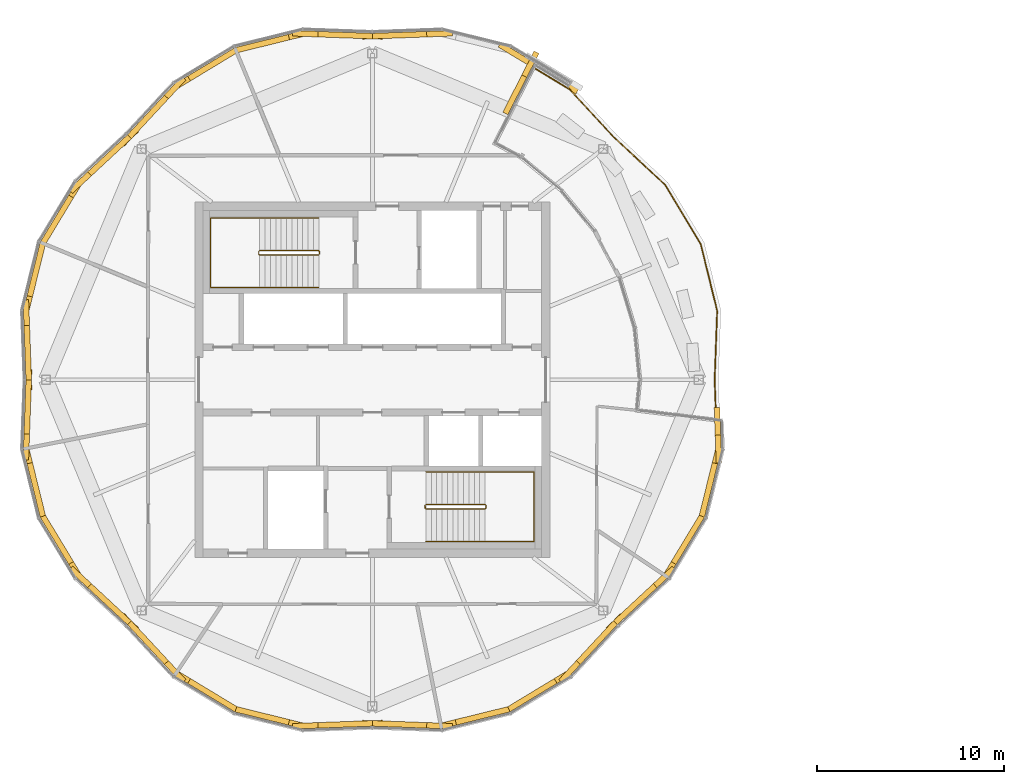
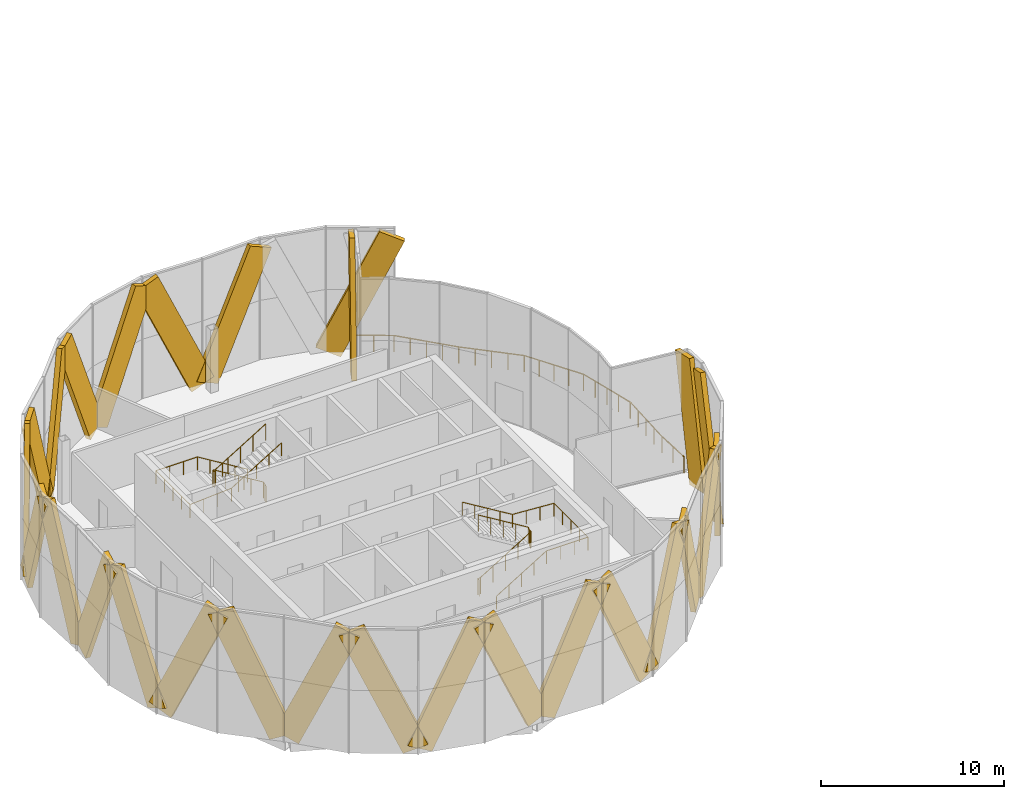
# One storey, part 22 of 24: 27 coverings, 5 railings.
"""IFC4 building model written with IfcOpenShell, lengths in metres."""

from ifc_helpers import new_model, si_unit, direction, frame, origin, origin_2d, place, context, subcontext, project, spatial, rectangle, circle, extrude, material, material_profile, profile_set, type_object, element, save


model = new_model("IFC4")

# Units and contexts
model_context = context("Model", 3, precision=1e-05, world=origin(), true_north=direction((0.0, 1.0)))
body_context = subcontext(model_context, "Body", "Model", "MODEL_VIEW")
ifc_project = project(units=[si_unit("LENGTHUNIT", "METRE"), si_unit("AREAUNIT", "SQUARE_METRE"), si_unit("VOLUMEUNIT", "CUBIC_METRE"), si_unit("PLANEANGLEUNIT", "RADIAN"), si_unit("MASSUNIT", "GRAM", prefix="KILO")], contexts=[model_context])

# Site, building, storey
site_placement = place(None, origin())
site = spatial("IfcSite", under=ifc_project, at=site_placement, CompositionType="ELEMENT")
building_placement = place(site_placement, origin())
building = spatial("IfcBuilding", under=site, at=building_placement, Name="Ogive Gate Towers", CompositionType="ELEMENT")
storey_placement = place(building_placement, frame((0.0, 0.0, 277.199951171875)))
storey = spatial("IfcBuildingStorey", under=building, at=storey_placement, Name="L65", CompositionType="ELEMENT", Elevation=277.199951171875)

# Coverings
ifc_material_1 = material(Name="Pale metal aluminium", Category="aluminium")
ifc_material_profile = material_profile(ifc_material_1, rectangle(XDim=0.300048828125, YDim=1.5, at=origin_2d()), Name="1500 x 300 pale metal aluminium")
ifc_profile_set = profile_set([ifc_material_profile], Name="Pale metal aluminium")
covering_type = type_object("IfcCoveringType", Name="Facade fin 1500 x 300", PredefinedType="CLADDING", material=ifc_profile_set)
covering_1_placement = place(storey_placement, frame((-35.857177734375, 18.385009765625, -0.046142578125), z_axis=(0.404783732746, 0.014723575022, 0.914293905723), x_axis=(-0.036349891013, 0.999339124333, 0.0)))
element("IfcCovering", 1, at=covering_1_placement, inside=storey, type_object=covering_type, Name="Facade fin", PredefinedType="CLADDING", context=body_context, shape_type="SweptSolid", body=[
    extrude(rectangle(XDim=0.300048828125, YDim=1.5, at=origin_2d()), origin(), (0.0, 0.0, 1.0), 8.52294921875),
])
covering_2_placement = place(storey_placement, frame((-28.611083984375, 17.5732421875, -0.04296875), z_axis=(0.350084887004, -0.211779040013, 0.912463813037), x_axis=(0.517597952455, 0.855623959233, 0.0)))
element("IfcCovering", 2, at=covering_2_placement, inside=storey, type_object=covering_type, Name="Facade fin", PredefinedType="CLADDING", context=body_context, shape_type="SweptSolid", body=[
    extrude(rectangle(XDim=0.300048828125, YDim=1.5, at=origin_2d()), origin(), (0.0, 0.0, 1.0), 8.533203125),
])
covering_3_placement = place(storey_placement, frame((-28.5595703125, 14.88916015625, -0.148193359375), z_axis=(0.122092839121, 0.239627780827, 0.963157238093), x_axis=(-0.891011959332, 0.453979832513, 0.0)))
element("IfcCovering", 3, at=covering_3_placement, inside=storey, type_object=covering_type, Name="Facade fin", PredefinedType="CLADDING", context=body_context, shape_type="SweptSolid", body=[
    extrude(rectangle(XDim=0.300048828125, YDim=1.5, at=origin_2d()), origin(), (0.0, 0.0, 1.0), 8.302490234375),
])
covering_4_placement = place(storey_placement, frame((-48.899169921875, 13.101318359375, -0.046142578125), z_axis=(0.275824192421, 0.296620574568, 0.91429604047), x_axis=(-0.732312214373, 0.680969030632, 0.0)))
element("IfcCovering", 4, at=covering_4_placement, inside=storey, type_object=covering_type, Name="Facade fin", PredefinedType="CLADDING", context=body_context, shape_type="SweptSolid", body=[
    extrude(rectangle(XDim=0.300048828125, YDim=1.5, at=origin_2d()), origin(), (0.0, 0.0, 1.0), 8.52294921875),
])
for number, where, z_axis, x_axis, name in (
    (5, (-43.3896484375, 17.57275390625, -0.042236328125), (-0.35117455635, -0.2124092703, 0.911898422448), (0.517546310675, -0.855655197089, 0.0), "Facade fin"),
    (6, (-43.20068359375, 17.65087890625, -0.042236328125), (0.398530828848, 0.098152694984, 0.911887727149), (-0.239140335318, 0.970985015345, 0.0), "Facade fin"),
):
    element("IfcCovering", number, at=place(storey_placement, frame(where, z_axis=z_axis, x_axis=x_axis)), inside=storey, type_object=covering_type, Name=name, PredefinedType="CLADDING", context=body_context, shape_type="SweptSolid", body=[
        extrude(rectangle(XDim=0.300048828125, YDim=1.5, at=origin_2d()), origin(), (0.0, 0.0, 1.0), 8.53662109375),
    ])
for number, where, z_axis, x_axis, name in (
    (7, (-36.142822265625, 18.385009765625, -0.046142578125), (-0.404783732746, 0.014723575022, 0.914293905723), (-0.036349891013, -0.999339124333, 0.0), "Facade fin"),
    (8, (-54.385009765625, 0.142822265625, -0.046142578125), (-0.014723575022, 0.404783732746, 0.914293905723), (-0.999339124333, -0.036349891013, 0.0), "Facade fin"),
):
    element("IfcCovering", number, at=place(storey_placement, frame(where, z_axis=z_axis, x_axis=x_axis)), inside=storey, type_object=covering_type, Name=name, PredefinedType="CLADDING", context=body_context, shape_type="SweptSolid", body=[
        extrude(rectangle(XDim=0.300048828125, YDim=1.5, at=origin_2d()), origin(), (0.0, 0.0, 1.0), 8.52294921875),
    ])
for number, where, z_axis, x_axis, name in (
    (9, (-53.65087890625, 7.20068359375, -0.042236328125), (-0.098152694984, -0.398530828848, 0.911887727149), (0.970985015345, -0.239140335318, 0.0), "Facade fin"),
    (10, (-53.57275390625, 7.3896484375, -0.042236328125), (0.2124092703, 0.35117455635, 0.911898422448), (-0.855655197089, 0.517546310675, 0.0), "Facade fin"),
):
    element("IfcCovering", number, at=place(storey_placement, frame(where, z_axis=z_axis, x_axis=x_axis)), inside=storey, type_object=covering_type, Name=name, PredefinedType="CLADDING", context=body_context, shape_type="SweptSolid", body=[
        extrude(rectangle(XDim=0.300048828125, YDim=1.5, at=origin_2d()), origin(), (0.0, 0.0, 1.0), 8.53662109375),
    ])
for number, where, z_axis, x_axis, name in (
    (11, (-49.101318359375, 12.899169921875, -0.046142578125), (-0.296620574568, -0.275824192421, 0.91429604047), (0.680969030632, -0.732312214373, 0.0), "Facade fin"),
    (12, (-49.101318359375, -12.899169921875, -0.046142578125), (-0.296620574568, 0.275824192421, 0.91429604047), (-0.680969030632, -0.732312214373, 0.0), "Facade fin"),
):
    element("IfcCovering", number, at=place(storey_placement, frame(where, z_axis=z_axis, x_axis=x_axis)), inside=storey, type_object=covering_type, Name=name, PredefinedType="CLADDING", context=body_context, shape_type="SweptSolid", body=[
        extrude(rectangle(XDim=0.300048828125, YDim=1.5, at=origin_2d()), origin(), (0.0, 0.0, 1.0), 8.52294921875),
    ])
for number, where, z_axis, x_axis, name in (
    (13, (-53.57275390625, -7.3896484375, -0.042236328125), (0.2124092703, -0.35117455635, 0.911898422448), (0.855655197089, 0.517546310675, 0.0), "Facade fin"),
    (14, (-53.65087890625, -7.20068359375, -0.042236328125), (-0.098152694984, 0.398530828848, 0.911887727149), (-0.970985015345, -0.239140335318, 0.0), "Facade fin"),
):
    element("IfcCovering", number, at=place(storey_placement, frame(where, z_axis=z_axis, x_axis=x_axis)), inside=storey, type_object=covering_type, Name=name, PredefinedType="CLADDING", context=body_context, shape_type="SweptSolid", body=[
        extrude(rectangle(XDim=0.300048828125, YDim=1.5, at=origin_2d()), origin(), (0.0, 0.0, 1.0), 8.53662109375),
    ])
for number, where, z_axis, x_axis, name in (
    (15, (-54.385009765625, -0.142822265625, -0.046142578125), (-0.014723575022, -0.404783732746, 0.914293905723), (0.999339124333, -0.036349891013, 0.0), "Facade fin"),
    (16, (-36.142822265625, -18.385009765625, -0.046142578125), (-0.404783732746, -0.014723575022, 0.914293905723), (0.036349891013, -0.999339124333, 0.0), "Facade fin"),
):
    element("IfcCovering", number, at=place(storey_placement, frame(where, z_axis=z_axis, x_axis=x_axis)), inside=storey, type_object=covering_type, Name=name, PredefinedType="CLADDING", context=body_context, shape_type="SweptSolid", body=[
        extrude(rectangle(XDim=0.300048828125, YDim=1.5, at=origin_2d()), origin(), (0.0, 0.0, 1.0), 8.52294921875),
    ])
for number, where, z_axis, x_axis, name in (
    (17, (-43.20068359375, -17.65087890625, -0.042236328125), (0.398530828848, -0.098152694984, 0.911887727149), (0.239140335318, 0.970985015345, 0.0), "Facade fin"),
    (18, (-43.3896484375, -17.57275390625, -0.042236328125), (-0.35117455635, 0.2124092703, 0.911898422448), (-0.517546310675, -0.855655197089, 0.0), "Facade fin"),
):
    element("IfcCovering", number, at=place(storey_placement, frame(where, z_axis=z_axis, x_axis=x_axis)), inside=storey, type_object=covering_type, Name=name, PredefinedType="CLADDING", context=body_context, shape_type="SweptSolid", body=[
        extrude(rectangle(XDim=0.300048828125, YDim=1.5, at=origin_2d()), origin(), (0.0, 0.0, 1.0), 8.53662109375),
    ])
for number, where, z_axis, x_axis, name in (
    (19, (-48.899169921875, -13.101318359375, -0.046142578125), (0.275824192421, -0.296620574568, 0.91429604047), (0.732312214373, 0.680969030632, 0.0), "Facade fin"),
    (20, (-23.100830078125, -13.101318359375, -0.046142578125), (-0.275824192421, -0.296620574568, 0.91429604047), (0.732312214373, -0.680969030632, 0.0), "Facade fin"),
):
    element("IfcCovering", number, at=place(storey_placement, frame(where, z_axis=z_axis, x_axis=x_axis)), inside=storey, type_object=covering_type, Name=name, PredefinedType="CLADDING", context=body_context, shape_type="SweptSolid", body=[
        extrude(rectangle(XDim=0.300048828125, YDim=1.5, at=origin_2d()), origin(), (0.0, 0.0, 1.0), 8.52294921875),
    ])
for number, where, z_axis, x_axis, name in (
    (21, (-28.6103515625, -17.57275390625, -0.042236328125), (0.35117455635, 0.2124092703, 0.911898422448), (-0.517546310675, 0.855655197089, 0.0), "Facade fin"),
    (22, (-28.79931640625, -17.65087890625, -0.042236328125), (-0.398530828848, -0.098152694984, 0.911887727149), (0.239140335318, -0.970985015345, 0.0), "Facade fin"),
):
    element("IfcCovering", number, at=place(storey_placement, frame(where, z_axis=z_axis, x_axis=x_axis)), inside=storey, type_object=covering_type, Name=name, PredefinedType="CLADDING", context=body_context, shape_type="SweptSolid", body=[
        extrude(rectangle(XDim=0.300048828125, YDim=1.5, at=origin_2d()), origin(), (0.0, 0.0, 1.0), 8.53662109375),
    ])
covering_5_placement = place(storey_placement, frame((-35.857177734375, -18.385009765625, -0.046142578125), z_axis=(0.404783732746, -0.014723575022, 0.914293905723), x_axis=(0.036349891013, 0.999339124333, 0.0)))
element("IfcCovering", 23, at=covering_5_placement, inside=storey, type_object=covering_type, Name="Facade fin", PredefinedType="CLADDING", context=body_context, shape_type="SweptSolid", body=[
    extrude(rectangle(XDim=0.300048828125, YDim=1.5, at=origin_2d()), origin(), (0.0, 0.0, 1.0), 8.52294921875),
])
for number, where, z_axis, x_axis, name in (
    (24, (-18.34912109375, -7.20068359375, -0.042236328125), (0.098152694984, 0.398530828848, 0.911887727149), (-0.970985015345, 0.239140335318, 0.0), "Facade fin"),
    (25, (-18.42724609375, -7.3896484375, -0.042236328125), (-0.2124092703, -0.35117455635, 0.911898422448), (0.855655197089, -0.517546310675, 0.0), "Facade fin"),
):
    element("IfcCovering", number, at=place(storey_placement, frame(where, z_axis=z_axis, x_axis=x_axis)), inside=storey, type_object=covering_type, Name=name, PredefinedType="CLADDING", context=body_context, shape_type="SweptSolid", body=[
        extrude(rectangle(XDim=0.300048828125, YDim=1.5, at=origin_2d()), origin(), (0.0, 0.0, 1.0), 8.53662109375),
    ])
covering_6_placement = place(storey_placement, frame((-22.898681640625, -12.899169921875, -0.046142578125), z_axis=(0.296620574568, 0.275824192421, 0.91429604047), x_axis=(-0.680969030632, 0.732312214373, 0.0)))
element("IfcCovering", 26, at=covering_6_placement, inside=storey, type_object=covering_type, Name="Facade fin", PredefinedType="CLADDING", context=body_context, shape_type="SweptSolid", body=[
    extrude(rectangle(XDim=0.300048828125, YDim=1.5, at=origin_2d()), origin(), (0.0, 0.0, 1.0), 8.52294921875),
])
covering_7_placement = place(storey_placement, frame((-17.485595703125, -3.702880859375, -0.216064453125), z_axis=(-0.00649849727, 0.178590520443, 0.983902025377), x_axis=(-0.999338624555, -0.036363628416, 0.0)))
element("IfcCovering", 27, at=covering_7_placement, inside=storey, type_object=covering_type, Name="Facade fin", PredefinedType="CLADDING", context=body_context, shape_type="SweptSolid", body=[
    extrude(rectangle(XDim=0.300048828125, YDim=1.5, at=origin_2d()), origin(), (0.0, 0.0, 1.0), 8.26513671875),
])

# Railings
ifc_material_2 = material(Name="Stainless steel", Category="steel")
railing_type_1 = type_object("IfcRailingType", Name="Guard 1100", PredefinedType="GUARDRAIL", material=ifc_material_2)
railing_1_placement = place(storey_placement, frame((-27.458984375, 16.79443359375, 0.0)))
element("IfcRailing", 28, at=railing_1_placement, inside=storey, type_object=railing_type_1, Name="Sky garden guard", PredefinedType="GUARDRAIL", context=body_context, shape_type="SweptSolid", body=[
    extrude(circle(Radius=0.02392578125, at=origin_2d()), frame((0.0, 0.0, 1.076171875), z_axis=(0.855705846526, -0.517462563111, 0.0), x_axis=(0.517462563111, 0.855705846526, 0.0)), (0.0, 0.0, 1.0), 2.21240234375),
    extrude(circle(Radius=0.02392578125, at=origin_2d()), frame((1.89306640625, -1.144775390625, 1.076171875), z_axis=(0.681058666719, -0.732228852536, 0.0), x_axis=(0.732228852536, 0.681058666719, 0.0)), (0.0, 0.0, 1.0), 3.69775390625),
    extrude(circle(Radius=0.02392578125, at=origin_2d()), frame((4.411376953125, -3.852294921875, 1.076171875), z_axis=(0.732325867396, -0.680954347914, 0.0), x_axis=(0.680954347914, 0.732325867396, 0.0)), (0.0, 0.0, 1.0), 3.68310546875),
    extrude(circle(Radius=0.02392578125, at=origin_2d()), frame((7.108642578125, -6.3603515625, 1.076171875), z_axis=(0.51748688442, -0.855691138468, 0.0), x_axis=(0.855691138468, 0.51748688442, 0.0)), (0.0, 0.0, 1.0), 3.693115234375),
    extrude(circle(Radius=0.02392578125, at=origin_2d()), frame((9.019775390625, -9.5205078125, 1.076171875), z_axis=(0.239112063196, -0.970991977945, 0.0), x_axis=(0.970991977945, 0.239112063196, 0.0)), (0.0, 0.0, 1.0), 3.693115234375),
    extrude(circle(Radius=0.02392578125, at=origin_2d()), frame((9.90283203125, -13.1064453125, 1.076171875), z_axis=(-0.036181368359, -0.999345239936, 0.0), x_axis=(0.999345239936, -0.036181368359, 0.0)), (0.0, 0.0, 1.0), 3.69775390625),
    extrude(circle(Radius=0.02392578125, at=origin_2d()), frame((9.76904296875, -16.8017578125, 1.076171875), z_axis=(0.036335737064, -0.999339639068, 0.0), x_axis=(0.999339639068, 0.036335737064, 0.0)), (0.0, 0.0, 1.0), 2.284423828125),
    extrude(circle(Radius=0.02099609375, at=origin_2d()), origin(), (0.0, 0.0, 1.0), 1.052001953125),
    extrude(circle(Radius=0.02099609375, at=origin_2d()), frame((0.946533203125, -0.572265625, 0.0)), (0.0, 0.0, 1.0), 1.052001953125),
    extrude(circle(Radius=0.02099609375, at=origin_2d()), frame((1.89306640625, -1.144775390625, 0.0)), (0.0, 0.0, 1.0), 1.052001953125),
    extrude(circle(Radius=0.02099609375, at=origin_2d()), frame((2.522705078125, -1.82177734375, 0.0)), (0.0, 0.0, 1.0), 1.052001953125),
    extrude(circle(Radius=0.02099609375, at=origin_2d()), frame((3.15234375, -2.49853515625, 0.0)), (0.0, 0.0, 1.0), 1.052001953125),
    extrude(circle(Radius=0.02099609375, at=origin_2d()), frame((3.78173828125, -3.17529296875, 0.0)), (0.0, 0.0, 1.0), 1.052001953125),
    extrude(circle(Radius=0.02099609375, at=origin_2d()), frame((4.411376953125, -3.852294921875, 0.0)), (0.0, 0.0, 1.0), 1.052001953125),
    extrude(circle(Radius=0.02099609375, at=origin_2d()), frame((5.085693359375, -4.479248046875, 0.0)), (0.0, 0.0, 1.0), 1.052001953125),
    extrude(circle(Radius=0.02099609375, at=origin_2d()), frame((5.760009765625, -5.1064453125, 0.0)), (0.0, 0.0, 1.0), 1.052001953125),
    extrude(circle(Radius=0.02099609375, at=origin_2d()), frame((6.434326171875, -5.7333984375, 0.0)), (0.0, 0.0, 1.0), 1.052001953125),
    extrude(circle(Radius=0.02099609375, at=origin_2d()), frame((7.108642578125, -6.3603515625, 0.0)), (0.0, 0.0, 1.0), 1.052001953125),
    extrude(circle(Radius=0.02099609375, at=origin_2d()), frame((7.58642578125, -7.150390625, 0.0)), (0.0, 0.0, 1.0), 1.052001953125),
    extrude(circle(Radius=0.02099609375, at=origin_2d()), frame((8.064208984375, -7.9404296875, 0.0)), (0.0, 0.0, 1.0), 1.052001953125),
    extrude(circle(Radius=0.02099609375, at=origin_2d()), frame((8.5419921875, -8.73046875, 0.0)), (0.0, 0.0, 1.0), 1.052001953125),
    extrude(circle(Radius=0.02099609375, at=origin_2d()), frame((9.019775390625, -9.5205078125, 0.0)), (0.0, 0.0, 1.0), 1.052001953125),
    extrude(circle(Radius=0.02099609375, at=origin_2d()), frame((9.240478515625, -10.4169921875, 0.0)), (0.0, 0.0, 1.0), 1.052001953125),
    extrude(circle(Radius=0.02099609375, at=origin_2d()), frame((9.46142578125, -11.3134765625, 0.0)), (0.0, 0.0, 1.0), 1.052001953125),
    extrude(circle(Radius=0.02099609375, at=origin_2d()), frame((9.68212890625, -12.2099609375, 0.0)), (0.0, 0.0, 1.0), 1.052001953125),
    extrude(circle(Radius=0.02099609375, at=origin_2d()), frame((9.90283203125, -13.1064453125, 0.0)), (0.0, 0.0, 1.0), 1.052001953125),
    extrude(circle(Radius=0.02099609375, at=origin_2d()), frame((9.869384765625, -14.0302734375, 0.0)), (0.0, 0.0, 1.0), 1.052001953125),
    extrude(circle(Radius=0.02099609375, at=origin_2d()), frame((9.8359375, -14.9541015625, 0.0)), (0.0, 0.0, 1.0), 1.052001953125),
    extrude(circle(Radius=0.02099609375, at=origin_2d()), frame((9.802490234375, -15.8779296875, 0.0)), (0.0, 0.0, 1.0), 1.052001953125),
    extrude(circle(Radius=0.02099609375, at=origin_2d()), frame((9.76904296875, -16.8017578125, 0.0)), (0.0, 0.0, 1.0), 1.052001953125),
    extrude(circle(Radius=0.02099609375, at=origin_2d()), frame((9.810546875, -17.943359375, 0.0)), (0.0, 0.0, 1.0), 1.052001953125),
    extrude(circle(Radius=0.02099609375, at=origin_2d()), frame((9.85205078125, -19.084716796875, 0.0)), (0.0, 0.0, 1.0), 1.052001953125),
])
railing_type_2 = type_object("IfcRailingType", Name="Stair guard 1100", PredefinedType="GUARDRAIL", material=ifc_material_2)
railing_2_placement = place(storey_placement, frame((-38.81494140625, 6.860107421875, 0.0)))
element("IfcRailing", 29, at=railing_2_placement, inside=storey, type_object=railing_type_2, Name="L65 ST1 stair guard 1", PredefinedType="GUARDRAIL", context=body_context, shape_type="SweptSolid", body=[
    extrude(circle(Radius=0.02392578125, at=origin_2d()), frame((0.0, 0.0, 1.076171875), z_axis=(0.0, -1.0, 0.0), x_axis=(1.0, 0.0, 0.0)), (0.0, 0.0, 1.0), 0.14501953125),
    extrude(circle(Radius=0.02392578125, at=origin_2d()), frame((0.0, -0.14501953125, 1.076171875), z_axis=(-0.187693211448, 0.730630159683, 0.656468451746), x_axis=(-0.968551454522, -0.24881334358, 0.0)), (0.0, 0.0, 1.0), 0.2666015625),
    extrude(circle(Radius=0.02392578125, at=origin_2d()), frame((-0.050048828125, 0.0498046875, 1.2509765625), z_axis=(-0.854199828955, 0.0, 0.519944854973), x_axis=(0.0, -1.0, 0.0)), (0.0, 0.0, 1.0), 3.702392578125),
    extrude(circle(Radius=0.02392578125, at=origin_2d()), frame((-3.212646484375, 0.0498046875, 3.17626953125), z_axis=(-0.707106781187, -0.707106781187, 0.0), x_axis=(0.707106781187, -0.707106781187, 0.0)), (0.0, 0.0, 1.0), 0.0703125),
    extrude(circle(Radius=0.02392578125, at=origin_2d()), frame((-3.262451171875, 0.0, 3.17626953125), z_axis=(0.0, -1.0, 0.0), x_axis=(1.0, 0.0, 0.0)), (0.0, 0.0, 1.0), 0.14501953125),
    extrude(circle(Radius=0.02392578125, at=origin_2d()), frame((-3.262451171875, -0.14501953125, 3.17626953125), z_axis=(0.263862480399, -0.265155923931, 0.927399011991), x_axis=(0.708833529934, 0.705375805398, 0.0)), (0.0, 0.0, 1.0), 0.188720703125),
    extrude(circle(Radius=0.02392578125, at=origin_2d()), frame((-3.212646484375, -0.195068359375, 3.35107421875), z_axis=(0.854229115434, 0.0, 0.519896738156), x_axis=(0.0, 1.0, 0.0)), (0.0, 0.0, 1.0), 3.702392578125),
    extrude(circle(Radius=0.02099609375, at=origin_2d()), origin(), (0.0, 0.0, 1.0), 1.052001953125),
    extrude(circle(Radius=0.02099609375, at=origin_2d()), frame((0.0, -0.14501953125, 0.0)), (0.0, 0.0, 1.0), 1.052001953125),
    extrude(circle(Radius=0.02099609375, at=origin_2d()), frame((-0.050048828125, 0.0498046875, 0.175048828125)), (0.0, 0.0, 1.0), 1.052001953125),
    extrude(circle(Radius=0.02099609375, at=origin_2d()), frame((-0.8408203125, 0.0498046875, 0.65625)), (0.0, 0.0, 1.0), 1.052001953125),
    extrude(circle(Radius=0.02099609375, at=origin_2d()), frame((-1.63134765625, 0.0498046875, 1.1376953125)), (0.0, 0.0, 1.0), 1.052001953125),
    extrude(circle(Radius=0.02099609375, at=origin_2d()), frame((-2.421875, 0.0498046875, 1.618896484375)), (0.0, 0.0, 1.0), 1.052001953125),
    extrude(circle(Radius=0.02099609375, at=origin_2d()), frame((-3.212646484375, 0.0498046875, 2.10009765625)), (0.0, 0.0, 1.0), 1.052001953125),
    extrude(circle(Radius=0.02099609375, at=origin_2d()), frame((-3.262451171875, 0.0, 2.10009765625)), (0.0, 0.0, 1.0), 1.052001953125),
    extrude(circle(Radius=0.02099609375, at=origin_2d()), frame((-3.262451171875, -0.14501953125, 2.10009765625)), (0.0, 0.0, 1.0), 1.052001953125),
    extrude(circle(Radius=0.02099609375, at=origin_2d()), frame((-3.212646484375, -0.195068359375, 2.275146484375)), (0.0, 0.0, 1.0), 1.052001953125),
    extrude(circle(Radius=0.02099609375, at=origin_2d()), frame((-2.421875, -0.195068359375, 2.75634765625)), (0.0, 0.0, 1.0), 1.052001953125),
    extrude(circle(Radius=0.02099609375, at=origin_2d()), frame((-1.63134765625, -0.195068359375, 3.237548828125)), (0.0, 0.0, 1.0), 1.052001953125),
    extrude(circle(Radius=0.02099609375, at=origin_2d()), frame((-0.8408203125, -0.195068359375, 3.71875)), (0.0, 0.0, 1.0), 1.052001953125),
    extrude(circle(Radius=0.02099609375, at=origin_2d()), frame((-0.050048828125, -0.195068359375, 4.199951171875)), (0.0, 0.0, 1.0), 1.052001953125),
])
railing_3_placement = place(storey_placement, frame((-33.18505859375, -6.860107421875, 0.0)))
element("IfcRailing", 30, at=railing_3_placement, inside=storey, type_object=railing_type_2, Name="L65 ST2 stair guard 1", PredefinedType="GUARDRAIL", context=body_context, shape_type="SweptSolid", body=[
    extrude(circle(Radius=0.02392578125, at=origin_2d()), frame((0.0, 0.0, 1.076171875), z_axis=(0.0, 1.0, 0.0), x_axis=(-1.0, 0.0, 0.0)), (0.0, 0.0, 1.0), 0.14501953125),
    extrude(circle(Radius=0.02392578125, at=origin_2d()), frame((0.0, 0.14501953125, 1.076171875), z_axis=(0.187693211448, -0.730630159683, 0.656468451746), x_axis=(0.968551454522, 0.24881334358, 0.0)), (0.0, 0.0, 1.0), 0.2666015625),
    extrude(circle(Radius=0.02392578125, at=origin_2d()), frame((0.050048828125, -0.0498046875, 1.2509765625), z_axis=(0.854199828955, 0.0, 0.519944854973), x_axis=(0.0, 1.0, 0.0)), (0.0, 0.0, 1.0), 3.702392578125),
    extrude(circle(Radius=0.02392578125, at=origin_2d()), frame((3.212646484375, -0.0498046875, 3.17626953125), z_axis=(0.707106781187, 0.707106781187, 0.0), x_axis=(-0.707106781187, 0.707106781187, 0.0)), (0.0, 0.0, 1.0), 0.0703125),
    extrude(circle(Radius=0.02392578125, at=origin_2d()), frame((3.262451171875, 0.0, 3.17626953125), z_axis=(0.0, 1.0, 0.0), x_axis=(-1.0, 0.0, 0.0)), (0.0, 0.0, 1.0), 0.14501953125),
    extrude(circle(Radius=0.02392578125, at=origin_2d()), frame((3.262451171875, 0.14501953125, 3.17626953125), z_axis=(-0.263862480399, 0.265155923931, 0.927399011991), x_axis=(-0.708833529934, -0.705375805398, 0.0)), (0.0, 0.0, 1.0), 0.188720703125),
    extrude(circle(Radius=0.02392578125, at=origin_2d()), frame((3.212646484375, 0.195068359375, 3.35107421875), z_axis=(-0.854229115434, 0.0, 0.519896738156), x_axis=(0.0, -1.0, 0.0)), (0.0, 0.0, 1.0), 3.702392578125),
    extrude(circle(Radius=0.02099609375, at=origin_2d()), origin(), (0.0, 0.0, 1.0), 1.052001953125),
    extrude(circle(Radius=0.02099609375, at=origin_2d()), frame((0.0, 0.14501953125, 0.0)), (0.0, 0.0, 1.0), 1.052001953125),
    extrude(circle(Radius=0.02099609375, at=origin_2d()), frame((0.050048828125, -0.0498046875, 0.175048828125)), (0.0, 0.0, 1.0), 1.052001953125),
    extrude(circle(Radius=0.02099609375, at=origin_2d()), frame((0.8408203125, -0.0498046875, 0.65625)), (0.0, 0.0, 1.0), 1.052001953125),
    extrude(circle(Radius=0.02099609375, at=origin_2d()), frame((1.63134765625, -0.0498046875, 1.1376953125)), (0.0, 0.0, 1.0), 1.052001953125),
    extrude(circle(Radius=0.02099609375, at=origin_2d()), frame((2.421875, -0.0498046875, 1.618896484375)), (0.0, 0.0, 1.0), 1.052001953125),
    extrude(circle(Radius=0.02099609375, at=origin_2d()), frame((3.212646484375, -0.0498046875, 2.10009765625)), (0.0, 0.0, 1.0), 1.052001953125),
    extrude(circle(Radius=0.02099609375, at=origin_2d()), frame((3.262451171875, 0.0, 2.10009765625)), (0.0, 0.0, 1.0), 1.052001953125),
    extrude(circle(Radius=0.02099609375, at=origin_2d()), frame((3.262451171875, 0.14501953125, 2.10009765625)), (0.0, 0.0, 1.0), 1.052001953125),
    extrude(circle(Radius=0.02099609375, at=origin_2d()), frame((3.212646484375, 0.195068359375, 2.275146484375)), (0.0, 0.0, 1.0), 1.052001953125),
    extrude(circle(Radius=0.02099609375, at=origin_2d()), frame((2.421875, 0.195068359375, 2.75634765625)), (0.0, 0.0, 1.0), 1.052001953125),
    extrude(circle(Radius=0.02099609375, at=origin_2d()), frame((1.63134765625, 0.195068359375, 3.237548828125)), (0.0, 0.0, 1.0), 1.052001953125),
    extrude(circle(Radius=0.02099609375, at=origin_2d()), frame((0.8408203125, 0.195068359375, 3.71875)), (0.0, 0.0, 1.0), 1.052001953125),
    extrude(circle(Radius=0.02099609375, at=origin_2d()), frame((0.050048828125, 0.195068359375, 4.199951171875)), (0.0, 0.0, 1.0), 1.052001953125),
])
railing_type_3 = type_object("IfcRailingType", Name="Stair handrail 900", PredefinedType="HANDRAIL", material=ifc_material_2)
railing_4_placement = place(storey_placement, frame((-38.864990234375, 8.64990234375, 0.175048828125)))
element("IfcRailing", 31, at=railing_4_placement, inside=storey, type_object=railing_type_3, Name="L65 ST1 stair handrail 1", PredefinedType="HANDRAIL", context=body_context, shape_type="SweptSolid", body=[
    extrude(circle(Radius=0.02392578125, at=origin_2d()), frame((0.0, 0.0, 0.8759765625), z_axis=(-0.854199828955, 0.0, 0.519944854973), x_axis=(0.0, -1.0, 0.0)), (0.0, 0.0, 1.0), 3.702392578125),
    extrude(circle(Radius=0.02392578125, at=origin_2d()), frame((-3.16259765625, 0.0, 2.80078125), z_axis=(-1.0, 0.0, 0.0), x_axis=(0.0, -1.0, 0.0)), (0.0, 0.0, 1.0), 2.622314453125),
    extrude(circle(Radius=0.02392578125, at=origin_2d()), frame((-5.784912109375, 0.0, 2.80078125), z_axis=(0.0, -1.0, 0.0), x_axis=(1.0, 0.0, 0.0)), (0.0, 0.0, 1.0), 3.724853515625),
    extrude(circle(Radius=0.02392578125, at=origin_2d()), frame((-5.784912109375, -3.724853515625, 2.80078125), z_axis=(0.997779399599, 0.0, 0.066605328136), x_axis=(0.0, 1.0, 0.0)), (0.0, 0.0, 1.0), 2.628173828125),
    extrude(circle(Radius=0.02392578125, at=origin_2d()), frame((-3.16259765625, -3.724853515625, 2.97607421875), z_axis=(0.854229115434, 0.0, 0.519896738156), x_axis=(0.0, 1.0, 0.0)), (0.0, 0.0, 1.0), 3.702392578125),
    extrude(circle(Radius=0.02099609375, at=origin_2d()), origin(), (0.0, 0.0, 1.0), 0.851806640625),
    extrude(circle(Radius=0.02099609375, at=origin_2d()), frame((-0.79052734375, 0.0, 0.481201171875)), (0.0, 0.0, 1.0), 0.851806640625),
    extrude(circle(Radius=0.02099609375, at=origin_2d()), frame((-1.581298828125, 0.0, 0.96240234375)), (0.0, 0.0, 1.0), 0.851806640625),
    extrude(circle(Radius=0.02099609375, at=origin_2d()), frame((-2.3720703125, 0.0, 1.44384765625)), (0.0, 0.0, 1.0), 0.851806640625),
    extrude(circle(Radius=0.02099609375, at=origin_2d()), frame((-3.16259765625, 0.0, 1.925048828125)), (0.0, 0.0, 1.0), 0.851806640625),
    extrude(circle(Radius=0.02099609375, at=origin_2d()), frame((-4.03662109375, 0.0, 1.925048828125)), (0.0, 0.0, 1.0), 0.851806640625),
    extrude(circle(Radius=0.02099609375, at=origin_2d()), frame((-4.910888671875, 0.0, 1.925048828125)), (0.0, 0.0, 1.0), 0.851806640625),
    extrude(circle(Radius=0.02099609375, at=origin_2d()), frame((-5.784912109375, 0.0, 1.925048828125)), (0.0, 0.0, 1.0), 0.851806640625),
    extrude(circle(Radius=0.02099609375, at=origin_2d()), frame((-5.784912109375, -0.93115234375, 1.925048828125)), (0.0, 0.0, 1.0), 0.851806640625),
    extrude(circle(Radius=0.02099609375, at=origin_2d()), frame((-5.784912109375, -1.8623046875, 1.925048828125)), (0.0, 0.0, 1.0), 0.851806640625),
    extrude(circle(Radius=0.02099609375, at=origin_2d()), frame((-5.784912109375, -2.793701171875, 1.925048828125)), (0.0, 0.0, 1.0), 0.851806640625),
    extrude(circle(Radius=0.02099609375, at=origin_2d()), frame((-5.784912109375, -3.724853515625, 1.925048828125)), (0.0, 0.0, 1.0), 0.851806640625),
    extrude(circle(Radius=0.02099609375, at=origin_2d()), frame((-4.910888671875, -3.724853515625, 1.9833984375)), (0.0, 0.0, 1.0), 0.851806640625),
    extrude(circle(Radius=0.02099609375, at=origin_2d()), frame((-4.03662109375, -3.724853515625, 2.041748046875)), (0.0, 0.0, 1.0), 0.851806640625),
    extrude(circle(Radius=0.02099609375, at=origin_2d()), frame((-3.16259765625, -3.724853515625, 2.10009765625)), (0.0, 0.0, 1.0), 0.851806640625),
    extrude(circle(Radius=0.02099609375, at=origin_2d()), frame((-2.3720703125, -3.724853515625, 2.581298828125)), (0.0, 0.0, 1.0), 0.851806640625),
    extrude(circle(Radius=0.02099609375, at=origin_2d()), frame((-1.581298828125, -3.724853515625, 3.0625)), (0.0, 0.0, 1.0), 0.851806640625),
    extrude(circle(Radius=0.02099609375, at=origin_2d()), frame((-0.79052734375, -3.724853515625, 3.543701171875)), (0.0, 0.0, 1.0), 0.851806640625),
    extrude(circle(Radius=0.02099609375, at=origin_2d()), frame((0.0, -3.724853515625, 4.02490234375)), (0.0, 0.0, 1.0), 0.851806640625),
])
railing_5_placement = place(storey_placement, frame((-33.135009765625, -8.64990234375, 0.175048828125)))
element("IfcRailing", 32, at=railing_5_placement, inside=storey, type_object=railing_type_3, Name="L65 ST2 stair handrail 1", PredefinedType="HANDRAIL", context=body_context, shape_type="SweptSolid", body=[
    extrude(circle(Radius=0.02392578125, at=origin_2d()), frame((0.0, 0.0, 0.8759765625), z_axis=(0.854199828955, 0.0, 0.519944854973), x_axis=(0.0, 1.0, 0.0)), (0.0, 0.0, 1.0), 3.702392578125),
    extrude(circle(Radius=0.02392578125, at=origin_2d()), frame((3.16259765625, 0.0, 2.80078125), z_axis=(1.0, 0.0, 0.0), x_axis=(0.0, 1.0, 0.0)), (0.0, 0.0, 1.0), 2.622314453125),
    extrude(circle(Radius=0.02392578125, at=origin_2d()), frame((5.784912109375, 0.0, 2.80078125), z_axis=(0.0, 1.0, 0.0), x_axis=(-1.0, 0.0, 0.0)), (0.0, 0.0, 1.0), 3.724853515625),
    extrude(circle(Radius=0.02392578125, at=origin_2d()), frame((5.784912109375, 3.724853515625, 2.80078125), z_axis=(-0.997779399599, 0.0, 0.066605328136), x_axis=(0.0, -1.0, 0.0)), (0.0, 0.0, 1.0), 2.628173828125),
    extrude(circle(Radius=0.02392578125, at=origin_2d()), frame((3.16259765625, 3.724853515625, 2.97607421875), z_axis=(-0.854229115434, 0.0, 0.519896738156), x_axis=(0.0, -1.0, 0.0)), (0.0, 0.0, 1.0), 3.702392578125),
    extrude(circle(Radius=0.02099609375, at=origin_2d()), origin(), (0.0, 0.0, 1.0), 0.851806640625),
    extrude(circle(Radius=0.02099609375, at=origin_2d()), frame((0.79052734375, 0.0, 0.481201171875)), (0.0, 0.0, 1.0), 0.851806640625),
    extrude(circle(Radius=0.02099609375, at=origin_2d()), frame((1.581298828125, 0.0, 0.96240234375)), (0.0, 0.0, 1.0), 0.851806640625),
    extrude(circle(Radius=0.02099609375, at=origin_2d()), frame((2.3720703125, 0.0, 1.44384765625)), (0.0, 0.0, 1.0), 0.851806640625),
    extrude(circle(Radius=0.02099609375, at=origin_2d()), frame((3.16259765625, 0.0, 1.925048828125)), (0.0, 0.0, 1.0), 0.851806640625),
    extrude(circle(Radius=0.02099609375, at=origin_2d()), frame((4.03662109375, 0.0, 1.925048828125)), (0.0, 0.0, 1.0), 0.851806640625),
    extrude(circle(Radius=0.02099609375, at=origin_2d()), frame((4.910888671875, 0.0, 1.925048828125)), (0.0, 0.0, 1.0), 0.851806640625),
    extrude(circle(Radius=0.02099609375, at=origin_2d()), frame((5.784912109375, 0.0, 1.925048828125)), (0.0, 0.0, 1.0), 0.851806640625),
    extrude(circle(Radius=0.02099609375, at=origin_2d()), frame((5.784912109375, 0.93115234375, 1.925048828125)), (0.0, 0.0, 1.0), 0.851806640625),
    extrude(circle(Radius=0.02099609375, at=origin_2d()), frame((5.784912109375, 1.8623046875, 1.925048828125)), (0.0, 0.0, 1.0), 0.851806640625),
    extrude(circle(Radius=0.02099609375, at=origin_2d()), frame((5.784912109375, 2.793701171875, 1.925048828125)), (0.0, 0.0, 1.0), 0.851806640625),
    extrude(circle(Radius=0.02099609375, at=origin_2d()), frame((5.784912109375, 3.724853515625, 1.925048828125)), (0.0, 0.0, 1.0), 0.851806640625),
    extrude(circle(Radius=0.02099609375, at=origin_2d()), frame((4.910888671875, 3.724853515625, 1.9833984375)), (0.0, 0.0, 1.0), 0.851806640625),
    extrude(circle(Radius=0.02099609375, at=origin_2d()), frame((4.03662109375, 3.724853515625, 2.041748046875)), (0.0, 0.0, 1.0), 0.851806640625),
    extrude(circle(Radius=0.02099609375, at=origin_2d()), frame((3.16259765625, 3.724853515625, 2.10009765625)), (0.0, 0.0, 1.0), 0.851806640625),
    extrude(circle(Radius=0.02099609375, at=origin_2d()), frame((2.3720703125, 3.724853515625, 2.581298828125)), (0.0, 0.0, 1.0), 0.851806640625),
    extrude(circle(Radius=0.02099609375, at=origin_2d()), frame((1.581298828125, 3.724853515625, 3.0625)), (0.0, 0.0, 1.0), 0.851806640625),
    extrude(circle(Radius=0.02099609375, at=origin_2d()), frame((0.79052734375, 3.724853515625, 3.543701171875)), (0.0, 0.0, 1.0), 0.851806640625),
    extrude(circle(Radius=0.02099609375, at=origin_2d()), frame((0.0, 3.724853515625, 4.02490234375)), (0.0, 0.0, 1.0), 0.851806640625),
])

save(model, "model.ifc")
